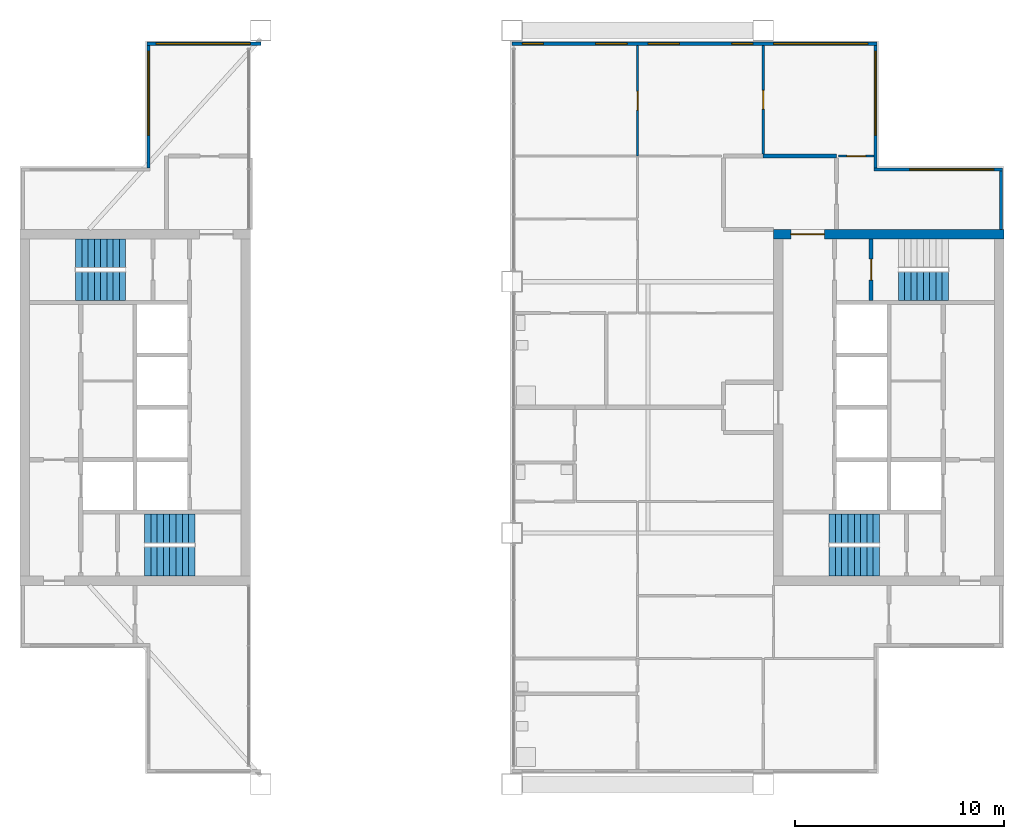
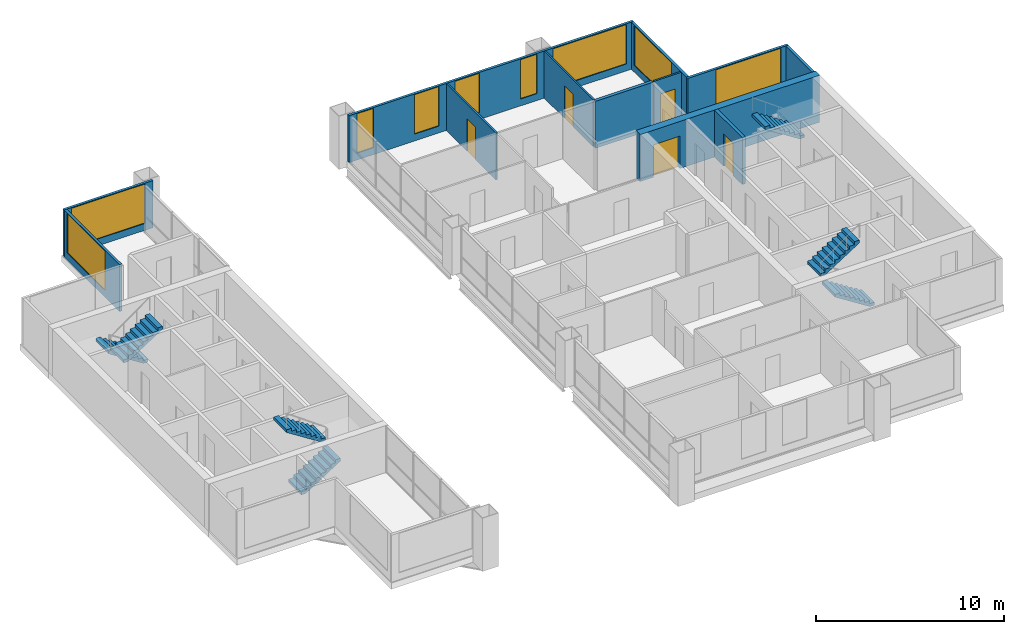
# One storey, part 10 of 13: 12 walls, 9 windows, 7 stair flights, 5 doors, 14 openings, 4 elements without a shape of their own.
"""IFC4 building model written with IfcOpenShell, lengths in metres."""

from ifc_helpers import new_model, si_unit, direction, frame, frame_2d, origin, place, context, subcontext, project, spatial, polyline, rectangle, outline, extrude, material, layer, layer_set, type_object, element, fill, aggregate, save


model = new_model("IFC4")

# Units and contexts
model_context = context("Model", 3, precision=1e-05, world=origin(), true_north=direction((0.0, 1.0)))
body_context = subcontext(model_context, "Body", "Model", "MODEL_VIEW")
ifc_project = project(units=[si_unit("LENGTHUNIT", "METRE"), si_unit("AREAUNIT", "SQUARE_METRE"), si_unit("VOLUMEUNIT", "CUBIC_METRE"), si_unit("PLANEANGLEUNIT", "RADIAN"), si_unit("MASSUNIT", "GRAM", prefix="KILO")], contexts=[model_context])

# Site, building, storey
site_placement = place(None, origin())
site = spatial("IfcSite", under=ifc_project, at=site_placement, CompositionType="ELEMENT")
building_placement = place(site_placement, origin())
building = spatial("IfcBuilding", under=site, at=building_placement, Name="Kitamizu Gate Tower and Museum", CompositionType="ELEMENT")
storey_placement = place(building_placement, frame((0.0, 0.0, 252.449951171875)))
storey = spatial("IfcBuildingStorey", under=building, at=storey_placement, Name="L68", CompositionType="ELEMENT", Elevation=252.449951171875)

# Wall, opening, door
ifc_material_1 = material(Name="Concrete Fc42", Category="concrete")
ifc_layer_1 = layer(ifc_material_1, 0.449951171875)
ifc_layer_set_1 = layer_set([ifc_layer_1], Name="Concrete Fc42")
wall_type_1 = type_object("IfcWallType", Name="Core wall 450 EI 90", PredefinedType="SHEAR", material=ifc_layer_set_1)
wall_1_placement = place(storey_placement, frame((59.5, 38.27490234375, 0.0), z_axis=(0.0, 0.0, 1.0), x_axis=(-1.0, 0.0, 0.0)))
wall_1 = element("IfcWall", 1, at=wall_1_placement, inside=storey, type_object=wall_type_1, Name="Core wall EN", PredefinedType="SHEAR", context=body_context, shape_type="SweptSolid", body=[
    extrude(rectangle(XDim=11.0, YDim=0.449951171875, at=frame_2d((5.5, 0.0))), origin(), (0.0, 0.0, 1.0), 3.050048828125),
])
opening_1_placement = place(wall_1_placement, frame((8.574951171875, 0.0, 0.0)))
opening_1 = element("IfcOpeningElement", 2, at=opening_1_placement, cuts=wall_1, Name="Opening L68-038", PredefinedType="OPENING", context=body_context, shape_type="SweptSolid", body=[
    extrude(rectangle(XDim=1.60009765625, YDim=2.10009765625, at=frame_2d((0.800048828125, 1.050048828125))), frame((0.0, 0.23486328125, 0.0), z_axis=(0.0, -1.0, 0.0), x_axis=(1.0, 0.0, 0.0)), (0.0, 0.0, 1.0), 0.469970703125),
])
ifc_material_2 = material(Name="Timber door set", Category="wood")
door_type_1 = type_object("IfcDoorType", Name="Entrance door 1600", OperationType="DOUBLE_DOOR_SINGLE_SWING", PredefinedType="DOOR", material=ifc_material_2)
door_1_placement = place(opening_1_placement, origin())
door_1 = element("IfcDoor", 3, at=door_1_placement, inside=storey, type_object=door_type_1, Name="Lobby door L68-038", OperationType="DOUBLE_DOOR_SINGLE_SWING", OverallHeight=2.10009765625, OverallWidth=1.60009765625, PredefinedType="DOOR", context=body_context, shape_type="SweptSolid", body=[
    extrude(rectangle(XDim=1.60009765625, YDim=2.10009765625, at=frame_2d((0.800048828125, 1.050048828125))), frame((0.0, 0.02490234375, 0.0), z_axis=(0.0, -1.0, 0.0), x_axis=(1.0, 0.0, 0.0)), (0.0, 0.0, 1.0), 0.050048828125),
])
fill(opening_1, door_1)

ifc_material_3 = material(Name="Gypsum board on galvanised stud")
ifc_layer_2 = layer(ifc_material_3, 0.10009765625)
ifc_layer_set_2 = layer_set([ifc_layer_2], Name="Gypsum board on galvanised stud")
wall_type_2 = type_object("IfcWallType", Name="Partition 100 NOT RATED", PredefinedType="PARTITIONING", material=ifc_layer_set_2)
wall_2_placement = place(storey_placement, frame((42.0, 42.0, 0.0), z_axis=(0.0, 0.0, 1.0), x_axis=(0.0, 1.0, 0.0)))
wall_2 = element("IfcWall", 4, at=wall_2_placement, inside=storey, type_object=wall_type_2, Name="Partition L68-031", PredefinedType="PARTITIONING", context=body_context, shape_type="SweptSolid", body=[
    extrude(rectangle(XDim=5.280029296875, YDim=0.10009765625, at=frame_2d((2.64013671875, 0.0))), origin(), (0.0, 0.0, 1.0), 3.050048828125),
])
opening_2_placement = place(wall_2_placement, frame((2.18994140625, 0.0, 0.0)))
opening_2 = element("IfcOpeningElement", 5, at=opening_2_placement, cuts=wall_2, Name="Opening L68-017", PredefinedType="OPENING", context=body_context, shape_type="SweptSolid", body=[
    extrude(rectangle(XDim=0.89990234375, YDim=2.10009765625, at=frame_2d((0.449951171875, 1.050048828125))), frame((0.0, 0.06005859375, 0.0), z_axis=(0.0, -1.0, 0.0), x_axis=(1.0, 0.0, 0.0)), (0.0, 0.0, 1.0), 0.1201171875),
])
ifc_material_4 = material(Name="Timber door set", Category="wood")
door_type_2 = type_object("IfcDoorType", Name="Room door 900", OperationType="NOTDEFINED", PredefinedType="DOOR", material=ifc_material_4)
door_2_placement = place(opening_2_placement, origin())
door_2 = element("IfcDoor", 6, at=door_2_placement, inside=storey, type_object=door_type_2, Name="Door L68-017", OperationType="SINGLE_SWING_RIGHT", OverallHeight=2.10009765625, OverallWidth=0.89990234375, PredefinedType="DOOR", context=body_context, shape_type="SweptSolid", body=[
    extrude(rectangle(XDim=0.89990234375, YDim=2.10009765625, at=frame_2d((0.449951171875, 1.050048828125))), frame((0.0, 0.02490234375, 0.0), z_axis=(0.0, -1.0, 0.0), x_axis=(1.0, 0.0, 0.0)), (0.0, 0.0, 1.0), 0.050048828125),
])
fill(opening_2, door_2)

wall_3_placement = place(storey_placement, frame((48.0, 42.10009765625, 0.0), z_axis=(0.0, 0.0, 1.0), x_axis=(0.0, 1.0, 0.0)))
wall_3 = element("IfcWall", 7, at=wall_3_placement, inside=storey, type_object=wall_type_2, Name="Partition L68-033", PredefinedType="PARTITIONING", context=body_context, shape_type="SweptSolid", body=[
    extrude(rectangle(XDim=5.179931640625, YDim=0.10009765625, at=frame_2d((2.58984375, 0.0))), origin(), (0.0, 0.0, 1.0), 3.050048828125),
])
opening_3_placement = place(wall_3_placement, frame((2.139892578125, 0.0, 0.0)))
opening_3 = element("IfcOpeningElement", 8, at=opening_3_placement, cuts=wall_3, Name="Opening L68-014", PredefinedType="OPENING", context=body_context, shape_type="SweptSolid", body=[
    extrude(rectangle(XDim=0.89990234375, YDim=2.10009765625, at=frame_2d((0.449951171875, 1.050048828125))), frame((0.0, 0.06005859375, 0.0), z_axis=(0.0, -1.0, 0.0), x_axis=(1.0, 0.0, 0.0)), (0.0, 0.0, 1.0), 0.1201171875),
])
door_3_placement = place(opening_3_placement, frame((0.89990234375, 0.0, 0.0), x_axis=(-1.0, 0.0, 0.0)))
door_3 = element("IfcDoor", 9, at=door_3_placement, inside=storey, type_object=door_type_2, Name="Door L68-014", OperationType="SINGLE_SWING_RIGHT", OverallHeight=2.10009765625, OverallWidth=0.89990234375, PredefinedType="DOOR", context=body_context, shape_type="SweptSolid", body=[
    extrude(rectangle(XDim=0.89990234375, YDim=2.10009765625, at=frame_2d((0.449951171875, 1.050048828125))), frame((0.0, 0.02490234375, 0.0), z_axis=(0.0, -1.0, 0.0), x_axis=(1.0, 0.0, 0.0)), (0.0, 0.0, 1.0), 0.050048828125),
])
fill(opening_3, door_3)

wall_4_placement = place(storey_placement, frame((51.60009765625, 42.0, 0.0), z_axis=(0.0, 0.0, 1.0), x_axis=(1.0, 0.0, 0.0)))
wall_4 = element("IfcWall", 10, at=wall_4_placement, inside=storey, type_object=wall_type_2, Name="Partition L68-036", PredefinedType="PARTITIONING", context=body_context, shape_type="SweptSolid", body=[
    extrude(rectangle(XDim=1.679931640625, YDim=0.10009765625, at=frame_2d((0.83984375, 0.0))), origin(), (0.0, 0.0, 1.0), 3.050048828125),
])
opening_4_placement = place(wall_4_placement, frame((0.389892578125, 0.0, 0.0)))
opening_4 = element("IfcOpeningElement", 11, at=opening_4_placement, cuts=wall_4, Name="Opening L68-013", PredefinedType="OPENING", context=body_context, shape_type="SweptSolid", body=[
    extrude(rectangle(XDim=0.89990234375, YDim=2.10009765625, at=frame_2d((0.449951171875, 1.050048828125))), frame((0.0, 0.06005859375, 0.0), z_axis=(0.0, -1.0, 0.0), x_axis=(1.0, 0.0, 0.0)), (0.0, 0.0, 1.0), 0.1201171875),
])
door_4_placement = place(opening_4_placement, origin())
door_4 = element("IfcDoor", 12, at=door_4_placement, inside=storey, type_object=door_type_2, Name="Door L68-013", OperationType="SINGLE_SWING_LEFT", OverallHeight=2.10009765625, OverallWidth=0.89990234375, PredefinedType="DOOR", context=body_context, shape_type="SweptSolid", body=[
    extrude(rectangle(XDim=0.89990234375, YDim=2.10009765625, at=frame_2d((0.449951171875, 1.050048828125))), frame((0.0, 0.02490234375, 0.0), z_axis=(0.0, -1.0, 0.0), x_axis=(1.0, 0.0, 0.0)), (0.0, 0.0, 1.0), 0.050048828125),
])
fill(opening_4, door_4)

# Wall
ifc_material_5 = material(Name="Gypsum board on galvanised stud")
ifc_layer_3 = layer(ifc_material_5, 0.199951171875)
ifc_layer_set_3 = layer_set([ifc_layer_3], Name="Gypsum board on galvanised stud")
wall_type_3 = type_object("IfcWallType", Name="Partition 200", PredefinedType="PARTITIONING", material=ifc_layer_set_3)
wall_5_placement = place(storey_placement, frame((48.0, 42.0, 0.0), z_axis=(0.0, 0.0, 1.0), x_axis=(1.0, 0.0, 0.0)))
element("IfcWall", 13, at=wall_5_placement, inside=storey, type_object=wall_type_3, Name="Partition L68-037", PredefinedType="PARTITIONING", context=body_context, shape_type="SweptSolid", body=[
    extrude(rectangle(XDim=3.5, YDim=0.199951171875, at=frame_2d((1.75, 0.0))), origin(), (0.0, 0.0, 1.0), 3.050048828125),
])

# Wall, opening, door
ifc_material_6 = material(Name="Concrete Fc42", Category="concrete")
ifc_layer_4 = layer(ifc_material_6, 0.199951171875)
ifc_layer_set_4 = layer_set([ifc_layer_4], Name="Concrete Fc42")
wall_type_4 = type_object("IfcWallType", Name="Shaft wall 200", PredefinedType="SOLIDWALL", material=ifc_layer_set_4)
wall_6_placement = place(storey_placement, frame((53.14990234375, 35.10009765625, 0.0), z_axis=(0.0, 0.0, 1.0), x_axis=(0.0, 1.0, 0.0)))
wall_6 = element("IfcWall", 14, at=wall_6_placement, inside=storey, type_object=wall_type_4, Name="Shaft wall ENZ", PredefinedType="SOLIDWALL", context=body_context, shape_type="SweptSolid", body=[
    extrude(rectangle(XDim=2.949951171875, YDim=0.199951171875, at=frame_2d((1.47509765625, 0.0))), origin(), (0.0, 0.0, 1.0), 3.050048828125),
])
opening_5_placement = place(wall_6_placement, frame((0.97509765625, 0.0, 0.0)))
opening_5 = element("IfcOpeningElement", 15, at=opening_5_placement, cuts=wall_6, Name="Opening L68-035", PredefinedType="OPENING", context=body_context, shape_type="SweptSolid", body=[
    extrude(rectangle(XDim=1.0, YDim=2.10009765625, at=frame_2d((0.5, 1.050048828125))), frame((0.0, 0.10986328125, 0.0), z_axis=(0.0, -1.0, 0.0), x_axis=(1.0, 0.0, 0.0)), (0.0, 0.0, 1.0), 0.219970703125),
])
ifc_material_7 = material(Name="Hollow metal door set")
door_type_3 = type_object("IfcDoorType", Name="Fire door 1000", OperationType="NOTDEFINED", PredefinedType="DOOR", material=ifc_material_7)
door_5_placement = place(opening_5_placement, frame((1.0, 0.0, 0.0), x_axis=(-1.0, 0.0, 0.0)))
door_5 = element("IfcDoor", 16, at=door_5_placement, inside=storey, type_object=door_type_3, Name="Stair door L68-035", OperationType="SINGLE_SWING_LEFT", OverallHeight=2.10009765625, OverallWidth=1.0, PredefinedType="DOOR", context=body_context, shape_type="SweptSolid", body=[
    extrude(rectangle(XDim=1.0, YDim=2.10009765625, at=frame_2d((0.5, 1.050048828125))), frame((0.0, 0.02490234375, 0.0), z_axis=(0.0, -1.0, 0.0), x_axis=(1.0, 0.0, 0.0)), (0.0, 0.0, 1.0), 0.050048828125),
])
fill(opening_5, door_5)

# Wall
ifc_material_8 = material(Name="Bronze anodised aluminium frame with insulated spandrel and tinted glass", Category="aluminium")
ifc_layer_5 = layer(ifc_material_8, 0.14990234375)
ifc_layer_set_5 = layer_set([ifc_layer_5], Name="Bronze anodised aluminium frame with insulated spandrel and tinted glass")
wall_type_5 = type_object("IfcWallType", Name="WINDOW WALL 150 BRONZE FRAME EI 30", PredefinedType="ELEMENTEDWALL", material=ifc_layer_set_5)
wall_7_placement = place(storey_placement, frame((59.364990234375, 38.5, 0.0), z_axis=(0.0, 0.0, 1.0), x_axis=(0.0, 1.0, 0.0)))
element("IfcWall", 17, at=wall_7_placement, inside=storey, type_object=wall_type_5, Name="Window wall east L68", PredefinedType="ELEMENTEDWALL", context=body_context, shape_type="SweptSolid", body=[
    extrude(rectangle(XDim=2.7900390625, YDim=0.14990234375, at=frame_2d((1.39501953125, 0.0))), origin(), (0.0, 0.0, 1.0), 3.050048828125),
])

# Wall, opening, window
wall_8_placement = place(storey_placement, frame((53.2900390625, 41.364990234375, 0.0), z_axis=(0.0, 0.0, 1.0), x_axis=(1.0, 0.0, 0.0)))
wall_8 = element("IfcWall", 18, at=wall_8_placement, inside=storey, type_object=wall_type_5, Name="Window wall north L68", PredefinedType="ELEMENTEDWALL", context=body_context, shape_type="SweptSolid", body=[
    extrude(rectangle(XDim=6.14990234375, YDim=0.14990234375, at=frame_2d((3.074951171875, 0.0))), origin(), (0.0, 0.0, 1.0), 3.050048828125),
])
opening_6_placement = place(wall_8_placement, frame((1.7099609375, 0.0, 0.449951171875)))
opening_6 = element("IfcOpeningElement", 19, at=opening_6_placement, cuts=wall_8, Name="Opening W16", PredefinedType="OPENING", context=body_context, shape_type="SweptSolid", body=[
    extrude(rectangle(XDim=4.0, YDim=2.550048828125, at=frame_2d((2.0, 1.27490234375))), frame((0.0, 0.0849609375, 0.0), z_axis=(0.0, -1.0, 0.0), x_axis=(1.0, 0.0, 0.0)), (0.0, 0.0, 1.0), 0.169921875),
])
ifc_material_9 = material(Name="Bronze anodised aluminium frame, tinted triple glazing", Category="aluminium")
window_type_1 = type_object("IfcWindowType", Name="WINDOW 4000 x 2550 SILL 450", PartitioningType="SINGLE_PANEL", PredefinedType="WINDOW", material=ifc_material_9)
window_1_placement = place(opening_6_placement, origin())
window_1 = element("IfcWindow", 20, at=window_1_placement, inside=storey, type_object=window_type_1, Name="Window W16 L68", OverallHeight=2.550048828125, OverallWidth=4.0, PartitioningType="SINGLE_PANEL", PredefinedType="WINDOW", context=body_context, shape_type="SweptSolid", body=[
    extrude(rectangle(XDim=4.0, YDim=2.550048828125, at=frame_2d((2.0, 1.27490234375))), frame((0.0, 0.030029296875, 0.0), z_axis=(0.0, -1.0, 0.0), x_axis=(1.0, 0.0, 0.0)), (0.0, 0.0, 1.0), 0.06005859375),
])
fill(opening_6, window_1)

wall_9_placement = place(storey_placement, frame((53.364990234375, 41.43994140625, 0.0), z_axis=(0.0, 0.0, 1.0), x_axis=(0.0, 1.0, 0.0)))
wall_9 = element("IfcWall", 21, at=wall_9_placement, inside=storey, type_object=wall_type_5, Name="Window wall east L68", PredefinedType="ELEMENTEDWALL", context=body_context, shape_type="SweptSolid", body=[
    extrude(rectangle(XDim=5.85009765625, YDim=0.14990234375, at=frame_2d((2.925048828125, 0.0))), origin(), (0.0, 0.0, 1.0), 3.050048828125),
])
opening_7_placement = place(wall_9_placement, frame((1.56005859375, 0.0, 0.449951171875)))
opening_7 = element("IfcOpeningElement", 22, at=opening_7_placement, cuts=wall_9, Name="Opening W16", PredefinedType="OPENING", context=body_context, shape_type="SweptSolid", body=[
    extrude(rectangle(XDim=4.0, YDim=2.550048828125, at=frame_2d((2.0, 1.27490234375))), frame((0.0, 0.0849609375, 0.0), z_axis=(0.0, -1.0, 0.0), x_axis=(1.0, 0.0, 0.0)), (0.0, 0.0, 1.0), 0.169921875),
])
window_2_placement = place(opening_7_placement, origin())
window_2 = element("IfcWindow", 23, at=window_2_placement, inside=storey, type_object=window_type_1, Name="Window W16 L68", OverallHeight=2.550048828125, OverallWidth=4.0, PartitioningType="SINGLE_PANEL", PredefinedType="WINDOW", context=body_context, shape_type="SweptSolid", body=[
    extrude(rectangle(XDim=4.0, YDim=2.550048828125, at=frame_2d((2.0, 1.27490234375))), frame((0.0, 0.030029296875, 0.0), z_axis=(0.0, -1.0, 0.0), x_axis=(1.0, 0.0, 0.0)), (0.0, 0.0, 1.0), 0.06005859375),
])
fill(opening_7, window_2)

wall_10_placement = place(storey_placement, frame((18.56005859375, 47.364990234375, 0.0), z_axis=(0.0, 0.0, 1.0), x_axis=(1.0, 0.0, 0.0)))
wall_10 = element("IfcWall", 24, at=wall_10_placement, inside=storey, type_object=wall_type_5, Name="Window wall north L68", PredefinedType="ELEMENTEDWALL", context=body_context, shape_type="SweptSolid", body=[
    extrude(rectangle(XDim=5.43994140625, YDim=0.14990234375, at=frame_2d((2.719970703125, 0.0))), origin(), (0.0, 0.0, 1.0), 3.050048828125),
])
opening_8_placement = place(wall_10_placement, frame((0.43994140625, 0.0, 0.449951171875)))
opening_8 = element("IfcOpeningElement", 25, at=opening_8_placement, cuts=wall_10, Name="Opening W15", PredefinedType="OPENING", context=body_context, shape_type="SweptSolid", body=[
    extrude(rectangle(XDim=4.5, YDim=2.550048828125, at=frame_2d((2.25, 1.27490234375))), frame((0.0, 0.0849609375, 0.0), z_axis=(0.0, -1.0, 0.0), x_axis=(1.0, 0.0, 0.0)), (0.0, 0.0, 1.0), 0.169921875),
])
ifc_material_10 = material(Name="Bronze anodised aluminium frame, tinted triple glazing", Category="aluminium")
window_type_2 = type_object("IfcWindowType", Name="WINDOW 4500 x 2550 SILL 450", PartitioningType="SINGLE_PANEL", PredefinedType="WINDOW", material=ifc_material_10)
window_3_placement = place(opening_8_placement, origin())
window_3 = element("IfcWindow", 26, at=window_3_placement, inside=storey, type_object=window_type_2, Name="Window W15 L68", OverallHeight=2.550048828125, OverallWidth=4.5, PartitioningType="SINGLE_PANEL", PredefinedType="WINDOW", context=body_context, shape_type="SweptSolid", body=[
    extrude(rectangle(XDim=4.5, YDim=2.550048828125, at=frame_2d((2.25, 1.27490234375))), frame((0.0, 0.030029296875, 0.0), z_axis=(0.0, -1.0, 0.0), x_axis=(1.0, 0.0, 0.0)), (0.0, 0.0, 1.0), 0.06005859375),
])
fill(opening_8, window_3)

# Wall, openings, windows
wall_11_placement = place(storey_placement, frame((36.0, 47.364990234375, 0.0), z_axis=(0.0, 0.0, 1.0), x_axis=(1.0, 0.0, 0.0)))
wall_11 = element("IfcWall", 27, at=wall_11_placement, inside=storey, type_object=wall_type_5, Name="Window wall north L68", PredefinedType="ELEMENTEDWALL", context=body_context, shape_type="SweptSolid", body=[
    extrude(rectangle(XDim=17.43994140625, YDim=0.14990234375, at=frame_2d((8.719970703125, 0.0))), origin(), (0.0, 0.0, 1.0), 3.050048828125),
])
opening_9_placement = place(wall_11_placement, frame((0.5, 0.0, 0.449951171875)))
opening_9 = element("IfcOpeningElement", 28, at=opening_9_placement, cuts=wall_11, Name="Opening W26", PredefinedType="OPENING", context=body_context, shape_type="SweptSolid", body=[
    extrude(rectangle(XDim=1.0, YDim=2.550048828125, at=frame_2d((0.5, 1.27490234375))), frame((0.0, 0.0849609375, 0.0), z_axis=(0.0, -1.0, 0.0), x_axis=(1.0, 0.0, 0.0)), (0.0, 0.0, 1.0), 0.169921875),
])
opening_10_placement = place(wall_11_placement, frame((4.0, 0.0, 0.449951171875)))
opening_10 = element("IfcOpeningElement", 29, at=opening_10_placement, cuts=wall_11, Name="Opening W28", PredefinedType="OPENING", context=body_context, shape_type="SweptSolid", body=[
    extrude(rectangle(XDim=1.5, YDim=2.550048828125, at=frame_2d((0.75, 1.27490234375))), frame((0.0, 0.0849609375, 0.0), z_axis=(0.0, -1.0, 0.0), x_axis=(1.0, 0.0, 0.0)), (0.0, 0.0, 1.0), 0.169921875),
])
opening_11_placement = place(wall_11_placement, frame((6.5, 0.0, 0.449951171875)))
opening_11 = element("IfcOpeningElement", 30, at=opening_11_placement, cuts=wall_11, Name="Opening W28", PredefinedType="OPENING", context=body_context, shape_type="SweptSolid", body=[
    extrude(rectangle(XDim=1.5, YDim=2.550048828125, at=frame_2d((0.75, 1.27490234375))), frame((0.0, 0.0849609375, 0.0), z_axis=(0.0, -1.0, 0.0), x_axis=(1.0, 0.0, 0.0)), (0.0, 0.0, 1.0), 0.169921875),
])
opening_12_placement = place(wall_11_placement, frame((10.5, 0.0, 0.449951171875)))
opening_12 = element("IfcOpeningElement", 31, at=opening_12_placement, cuts=wall_11, Name="Opening W26", PredefinedType="OPENING", context=body_context, shape_type="SweptSolid", body=[
    extrude(rectangle(XDim=1.0, YDim=2.550048828125, at=frame_2d((0.5, 1.27490234375))), frame((0.0, 0.0849609375, 0.0), z_axis=(0.0, -1.0, 0.0), x_axis=(1.0, 0.0, 0.0)), (0.0, 0.0, 1.0), 0.169921875),
])
opening_13_placement = place(wall_11_placement, frame((12.5, 0.0, 0.449951171875)))
opening_13 = element("IfcOpeningElement", 32, at=opening_13_placement, cuts=wall_11, Name="Opening W15", PredefinedType="OPENING", context=body_context, shape_type="SweptSolid", body=[
    extrude(rectangle(XDim=4.5, YDim=2.550048828125, at=frame_2d((2.25, 1.27490234375))), frame((0.0, 0.0849609375, 0.0), z_axis=(0.0, -1.0, 0.0), x_axis=(1.0, 0.0, 0.0)), (0.0, 0.0, 1.0), 0.169921875),
])
ifc_material_11 = material(Name="Bronze anodised aluminium frame, tinted triple glazing", Category="aluminium")
window_type_3 = type_object("IfcWindowType", Name="WINDOW 1000 x 2550 SILL 450", PartitioningType="SINGLE_PANEL", PredefinedType="WINDOW", material=ifc_material_11)
window_4_placement = place(opening_9_placement, origin())
window_4 = element("IfcWindow", 33, at=window_4_placement, inside=storey, type_object=window_type_3, Name="Window W26 L68", OverallHeight=2.550048828125, OverallWidth=1.0, PartitioningType="SINGLE_PANEL", PredefinedType="WINDOW", context=body_context, shape_type="SweptSolid", body=[
    extrude(rectangle(XDim=1.0, YDim=2.550048828125, at=frame_2d((0.5, 1.27490234375))), frame((0.0, 0.030029296875, 0.0), z_axis=(0.0, -1.0, 0.0), x_axis=(1.0, 0.0, 0.0)), (0.0, 0.0, 1.0), 0.06005859375),
])
fill(opening_9, window_4)
window_5_placement = place(opening_12_placement, origin())
window_5 = element("IfcWindow", 34, at=window_5_placement, inside=storey, type_object=window_type_3, Name="Window W26 L68", OverallHeight=2.550048828125, OverallWidth=1.0, PartitioningType="SINGLE_PANEL", PredefinedType="WINDOW", context=body_context, shape_type="SweptSolid", body=[
    extrude(rectangle(XDim=1.0, YDim=2.550048828125, at=frame_2d((0.5, 1.27490234375))), frame((0.0, 0.030029296875, 0.0), z_axis=(0.0, -1.0, 0.0), x_axis=(1.0, 0.0, 0.0)), (0.0, 0.0, 1.0), 0.06005859375),
])
fill(opening_12, window_5)
ifc_material_12 = material(Name="Bronze anodised aluminium frame, tinted triple glazing", Category="aluminium")
window_type_4 = type_object("IfcWindowType", Name="WINDOW 1500 x 2550 SILL 450", PartitioningType="SINGLE_PANEL", PredefinedType="WINDOW", material=ifc_material_12)
window_6_placement = place(opening_10_placement, origin())
window_6 = element("IfcWindow", 35, at=window_6_placement, inside=storey, type_object=window_type_4, Name="Window W28 L68", OverallHeight=2.550048828125, OverallWidth=1.5, PartitioningType="SINGLE_PANEL", PredefinedType="WINDOW", context=body_context, shape_type="SweptSolid", body=[
    extrude(rectangle(XDim=1.5, YDim=2.550048828125, at=frame_2d((0.75, 1.27490234375))), frame((0.0, 0.030029296875, 0.0), z_axis=(0.0, -1.0, 0.0), x_axis=(1.0, 0.0, 0.0)), (0.0, 0.0, 1.0), 0.06005859375),
])
fill(opening_10, window_6)
window_7_placement = place(opening_11_placement, origin())
window_7 = element("IfcWindow", 36, at=window_7_placement, inside=storey, type_object=window_type_4, Name="Window W28 L68", OverallHeight=2.550048828125, OverallWidth=1.5, PartitioningType="SINGLE_PANEL", PredefinedType="WINDOW", context=body_context, shape_type="SweptSolid", body=[
    extrude(rectangle(XDim=1.5, YDim=2.550048828125, at=frame_2d((0.75, 1.27490234375))), frame((0.0, 0.030029296875, 0.0), z_axis=(0.0, -1.0, 0.0), x_axis=(1.0, 0.0, 0.0)), (0.0, 0.0, 1.0), 0.06005859375),
])
fill(opening_11, window_7)
window_8_placement = place(opening_13_placement, origin())
window_8 = element("IfcWindow", 37, at=window_8_placement, inside=storey, type_object=window_type_2, Name="Window W15 L68", OverallHeight=2.550048828125, OverallWidth=4.5, PartitioningType="SINGLE_PANEL", PredefinedType="WINDOW", context=body_context, shape_type="SweptSolid", body=[
    extrude(rectangle(XDim=4.5, YDim=2.550048828125, at=frame_2d((2.25, 1.27490234375))), frame((0.0, 0.030029296875, 0.0), z_axis=(0.0, -1.0, 0.0), x_axis=(1.0, 0.0, 0.0)), (0.0, 0.0, 1.0), 0.06005859375),
])
fill(opening_13, window_8)

# Wall, opening, window
wall_12_placement = place(storey_placement, frame((18.635009765625, 41.43994140625, 0.0), z_axis=(0.0, 0.0, 1.0), x_axis=(0.0, 1.0, 0.0)))
wall_12 = element("IfcWall", 38, at=wall_12_placement, inside=storey, type_object=wall_type_5, Name="Window wall west L68", PredefinedType="ELEMENTEDWALL", context=body_context, shape_type="SweptSolid", body=[
    extrude(rectangle(XDim=5.85009765625, YDim=0.14990234375, at=frame_2d((2.925048828125, 0.0))), origin(), (0.0, 0.0, 1.0), 3.050048828125),
])
opening_14_placement = place(wall_12_placement, frame((1.56005859375, 0.0, 0.449951171875)))
opening_14 = element("IfcOpeningElement", 39, at=opening_14_placement, cuts=wall_12, Name="Opening W16", PredefinedType="OPENING", context=body_context, shape_type="SweptSolid", body=[
    extrude(rectangle(XDim=4.0, YDim=2.550048828125, at=frame_2d((2.0, 1.27490234375))), frame((0.0, 0.0849609375, 0.0), z_axis=(0.0, -1.0, 0.0), x_axis=(1.0, 0.0, 0.0)), (0.0, 0.0, 1.0), 0.169921875),
])
window_9_placement = place(opening_14_placement, origin())
window_9 = element("IfcWindow", 40, at=window_9_placement, inside=storey, type_object=window_type_1, Name="Window W16 L68", OverallHeight=2.550048828125, OverallWidth=4.0, PartitioningType="SINGLE_PANEL", PredefinedType="WINDOW", context=body_context, shape_type="SweptSolid", body=[
    extrude(rectangle(XDim=4.0, YDim=2.550048828125, at=frame_2d((2.0, 1.27490234375))), frame((0.0, 0.030029296875, 0.0), z_axis=(0.0, -1.0, 0.0), x_axis=(1.0, 0.0, 0.0)), (0.0, 0.0, 1.0), 0.06005859375),
])
fill(opening_14, window_9)

# Stair, stair flights
ifc_material_13 = material(Name="Concrete Fc42", Category="concrete")
stair_type = type_object("IfcStairType", Name="Exit stair 1375 wide 192 rise 300 going", PredefinedType="HALF_TURN_STAIR", material=ifc_material_13)
stair_1_placement = place(storey_placement, origin())
stair_1 = element("IfcStair", 41, at=stair_1_placement, inside=storey, type_object=stair_type, Name="Exit stair ST1", PredefinedType="HALF_TURN_STAIR")
ifc_material_14 = material(Name="Concrete Fc42", Category="concrete")
stair_flight_type = type_object("IfcStairFlightType", Name="Stair flight 1375 wide 192 rise 300 going", PredefinedType="STRAIGHT", material=ifc_material_14)
stair_flight_1_placement = place(storey_placement, frame((18.449951171875, 22.637451171875, 0.0), z_axis=(0.0, 0.0, 1.0), x_axis=(1.0, 0.0, 0.0)))
stair_flight_1 = element("IfcStairFlight", 42, at=stair_flight_1_placement, type_object=stair_flight_type, Name="ST1 flight 1", NumberOfRisers=9, NumberOfTreads=8, PredefinedType="STRAIGHT", RiserHeight=0.191666667, TreadLength=0.3, context=body_context, shape_type="SweptSolid", body=[
    extrude(outline(polyline([(0.0, 0.0), (0.0, 0.191650390625), (0.300048828125, 0.191650390625), (0.300048828125, 0.38330078125), (0.60009765625, 0.38330078125), (0.60009765625, 0.574951171875), (0.89990234375, 0.574951171875), (0.89990234375, 0.7666015625), (1.199951171875, 0.7666015625), (1.199951171875, 0.958251953125), (1.5, 0.958251953125), (1.5, 1.14990234375), (1.800048828125, 1.14990234375), (1.800048828125, 1.341552734375), (2.10009765625, 1.341552734375), (2.10009765625, 1.533447265625), (2.39990234375, 1.533447265625), (2.39990234375, 1.72509765625), (2.39990234375, 1.35546875), (0.2783203125, 0.0), (0.0, 0.0)])), frame((0.0, 0.6875, 0.0), z_axis=(0.0, -1.0, 0.0), x_axis=(1.0, 0.0, 0.0)), (0.0, 0.0, 1.0), 1.375),
])
stair_flight_2_placement = place(storey_placement, frame((20.85009765625, 24.21240234375, 1.72509765625), z_axis=(0.0, 0.0, 1.0), x_axis=(-1.0, 0.0, 0.0)))
stair_flight_2 = element("IfcStairFlight", 43, at=stair_flight_2_placement, type_object=stair_flight_type, Name="ST1 flight 2", NumberOfRisers=9, NumberOfTreads=8, PredefinedType="STRAIGHT", RiserHeight=0.191666667, TreadLength=0.3, context=body_context, shape_type="SweptSolid", body=[
    extrude(outline(polyline([(0.0, 0.0), (0.0, 0.191650390625), (0.300048828125, 0.191650390625), (0.300048828125, 0.38330078125), (0.60009765625, 0.38330078125), (0.60009765625, 0.574951171875), (0.89990234375, 0.574951171875), (0.89990234375, 0.7666015625), (1.199951171875, 0.7666015625), (1.199951171875, 0.958251953125), (1.5, 0.958251953125), (1.5, 1.14990234375), (1.800048828125, 1.14990234375), (1.800048828125, 1.341552734375), (2.10009765625, 1.341552734375), (2.10009765625, 1.533447265625), (2.39990234375, 1.533447265625), (2.39990234375, 1.72509765625), (2.39990234375, 1.35546875), (0.2783203125, 0.0), (0.0, 0.0)])), frame((0.0, 0.6875, 0.0), z_axis=(0.0, -1.0, 0.0), x_axis=(1.0, 0.0, 0.0)), (0.0, 0.0, 1.0), 1.375),
])
aggregate(stair_1, [stair_flight_1, stair_flight_2])

stair_2_placement = place(storey_placement, origin())
stair_2 = element("IfcStair", 44, at=stair_2_placement, inside=storey, type_object=stair_type, Name="Exit stair ST2", PredefinedType="HALF_TURN_STAIR")
stair_flight_3_placement = place(storey_placement, frame((17.550048828125, 37.362548828125, 0.0), z_axis=(0.0, 0.0, 1.0), x_axis=(-1.0, 0.0, 0.0)))
stair_flight_3 = element("IfcStairFlight", 45, at=stair_flight_3_placement, type_object=stair_flight_type, Name="ST2 flight 1", NumberOfRisers=9, NumberOfTreads=8, PredefinedType="STRAIGHT", RiserHeight=0.191666667, TreadLength=0.3, context=body_context, shape_type="SweptSolid", body=[
    extrude(outline(polyline([(0.0, 0.0), (0.0, 0.191650390625), (0.300048828125, 0.191650390625), (0.300048828125, 0.38330078125), (0.60009765625, 0.38330078125), (0.60009765625, 0.574951171875), (0.89990234375, 0.574951171875), (0.89990234375, 0.7666015625), (1.199951171875, 0.7666015625), (1.199951171875, 0.958251953125), (1.5, 0.958251953125), (1.5, 1.14990234375), (1.800048828125, 1.14990234375), (1.800048828125, 1.341552734375), (2.10009765625, 1.341552734375), (2.10009765625, 1.533447265625), (2.39990234375, 1.533447265625), (2.39990234375, 1.72509765625), (2.39990234375, 1.35546875), (0.2783203125, 0.0), (0.0, 0.0)])), frame((0.0, 0.6875, 0.0), z_axis=(0.0, -1.0, 0.0), x_axis=(1.0, 0.0, 0.0)), (0.0, 0.0, 1.0), 1.375),
])
stair_flight_4_placement = place(storey_placement, frame((15.14990234375, 35.78759765625, 1.72509765625), z_axis=(0.0, 0.0, 1.0), x_axis=(1.0, 0.0, 0.0)))
stair_flight_4 = element("IfcStairFlight", 46, at=stair_flight_4_placement, type_object=stair_flight_type, Name="ST2 flight 2", NumberOfRisers=9, NumberOfTreads=8, PredefinedType="STRAIGHT", RiserHeight=0.191666667, TreadLength=0.3, context=body_context, shape_type="SweptSolid", body=[
    extrude(outline(polyline([(0.0, 0.0), (0.0, 0.191650390625), (0.300048828125, 0.191650390625), (0.300048828125, 0.38330078125), (0.60009765625, 0.38330078125), (0.60009765625, 0.574951171875), (0.89990234375, 0.574951171875), (0.89990234375, 0.7666015625), (1.199951171875, 0.7666015625), (1.199951171875, 0.958251953125), (1.5, 0.958251953125), (1.5, 1.14990234375), (1.800048828125, 1.14990234375), (1.800048828125, 1.341552734375), (2.10009765625, 1.341552734375), (2.10009765625, 1.533447265625), (2.39990234375, 1.533447265625), (2.39990234375, 1.72509765625), (2.39990234375, 1.35546875), (0.2783203125, 0.0), (0.0, 0.0)])), frame((0.0, 0.6875, 0.0), z_axis=(0.0, -1.0, 0.0), x_axis=(1.0, 0.0, 0.0)), (0.0, 0.0, 1.0), 1.375),
])
aggregate(stair_2, [stair_flight_3, stair_flight_4])

stair_3_placement = place(storey_placement, origin())
stair_3 = element("IfcStair", 47, at=stair_3_placement, inside=storey, type_object=stair_type, Name="Exit stair ST3", PredefinedType="HALF_TURN_STAIR")
stair_flight_5_placement = place(storey_placement, frame((53.550048828125, 22.637451171875, 0.0), z_axis=(0.0, 0.0, 1.0), x_axis=(-1.0, 0.0, 0.0)))
stair_flight_5 = element("IfcStairFlight", 48, at=stair_flight_5_placement, type_object=stair_flight_type, Name="ST3 flight 1", NumberOfRisers=9, NumberOfTreads=8, PredefinedType="STRAIGHT", RiserHeight=0.191666667, TreadLength=0.3, context=body_context, shape_type="SweptSolid", body=[
    extrude(outline(polyline([(0.0, 0.0), (0.0, 0.191650390625), (0.300048828125, 0.191650390625), (0.300048828125, 0.38330078125), (0.60009765625, 0.38330078125), (0.60009765625, 0.574951171875), (0.89990234375, 0.574951171875), (0.89990234375, 0.7666015625), (1.199951171875, 0.7666015625), (1.199951171875, 0.958251953125), (1.5, 0.958251953125), (1.5, 1.14990234375), (1.800048828125, 1.14990234375), (1.800048828125, 1.341552734375), (2.10009765625, 1.341552734375), (2.10009765625, 1.533447265625), (2.39990234375, 1.533447265625), (2.39990234375, 1.72509765625), (2.39990234375, 1.35546875), (0.2783203125, 0.0), (0.0, 0.0)])), frame((0.0, 0.6875, 0.0), z_axis=(0.0, -1.0, 0.0), x_axis=(1.0, 0.0, 0.0)), (0.0, 0.0, 1.0), 1.375),
])
stair_flight_6_placement = place(storey_placement, frame((51.14990234375, 24.21240234375, 1.72509765625), z_axis=(0.0, 0.0, 1.0), x_axis=(1.0, 0.0, 0.0)))
stair_flight_6 = element("IfcStairFlight", 49, at=stair_flight_6_placement, type_object=stair_flight_type, Name="ST3 flight 2", NumberOfRisers=9, NumberOfTreads=8, PredefinedType="STRAIGHT", RiserHeight=0.191666667, TreadLength=0.3, context=body_context, shape_type="SweptSolid", body=[
    extrude(outline(polyline([(0.0, 0.0), (0.0, 0.191650390625), (0.300048828125, 0.191650390625), (0.300048828125, 0.38330078125), (0.60009765625, 0.38330078125), (0.60009765625, 0.574951171875), (0.89990234375, 0.574951171875), (0.89990234375, 0.7666015625), (1.199951171875, 0.7666015625), (1.199951171875, 0.958251953125), (1.5, 0.958251953125), (1.5, 1.14990234375), (1.800048828125, 1.14990234375), (1.800048828125, 1.341552734375), (2.10009765625, 1.341552734375), (2.10009765625, 1.533447265625), (2.39990234375, 1.533447265625), (2.39990234375, 1.72509765625), (2.39990234375, 1.35546875), (0.2783203125, 0.0), (0.0, 0.0)])), frame((0.0, 0.6875, 0.0), z_axis=(0.0, -1.0, 0.0), x_axis=(1.0, 0.0, 0.0)), (0.0, 0.0, 1.0), 1.375),
])
aggregate(stair_3, [stair_flight_5, stair_flight_6])

# Stair, stair flight
stair_4_placement = place(storey_placement, origin())
stair_4 = element("IfcStair", 50, at=stair_4_placement, inside=storey, type_object=stair_type, Name="Exit stair ST4", PredefinedType="HALF_TURN_STAIR")
stair_flight_7_placement = place(storey_placement, frame((56.85009765625, 35.78759765625, 1.72509765625), z_axis=(0.0, 0.0, 1.0), x_axis=(-1.0, 0.0, 0.0)))
stair_flight_7 = element("IfcStairFlight", 51, at=stair_flight_7_placement, type_object=stair_flight_type, Name="ST4 flight 2", NumberOfRisers=9, NumberOfTreads=8, PredefinedType="STRAIGHT", RiserHeight=0.191666667, TreadLength=0.3, context=body_context, shape_type="SweptSolid", body=[
    extrude(outline(polyline([(0.0, 0.0), (0.0, 0.191650390625), (0.300048828125, 0.191650390625), (0.300048828125, 0.38330078125), (0.60009765625, 0.38330078125), (0.60009765625, 0.574951171875), (0.89990234375, 0.574951171875), (0.89990234375, 0.7666015625), (1.199951171875, 0.7666015625), (1.199951171875, 0.958251953125), (1.5, 0.958251953125), (1.5, 1.14990234375), (1.800048828125, 1.14990234375), (1.800048828125, 1.341552734375), (2.10009765625, 1.341552734375), (2.10009765625, 1.533447265625), (2.39990234375, 1.533447265625), (2.39990234375, 1.72509765625), (2.39990234375, 1.35546875), (0.2783203125, 0.0), (0.0, 0.0)])), frame((0.0, 0.6875, 0.0), z_axis=(0.0, -1.0, 0.0), x_axis=(1.0, 0.0, 0.0)), (0.0, 0.0, 1.0), 1.375),
])
aggregate(stair_4, [stair_flight_7])

save(model, "model.ifc")
